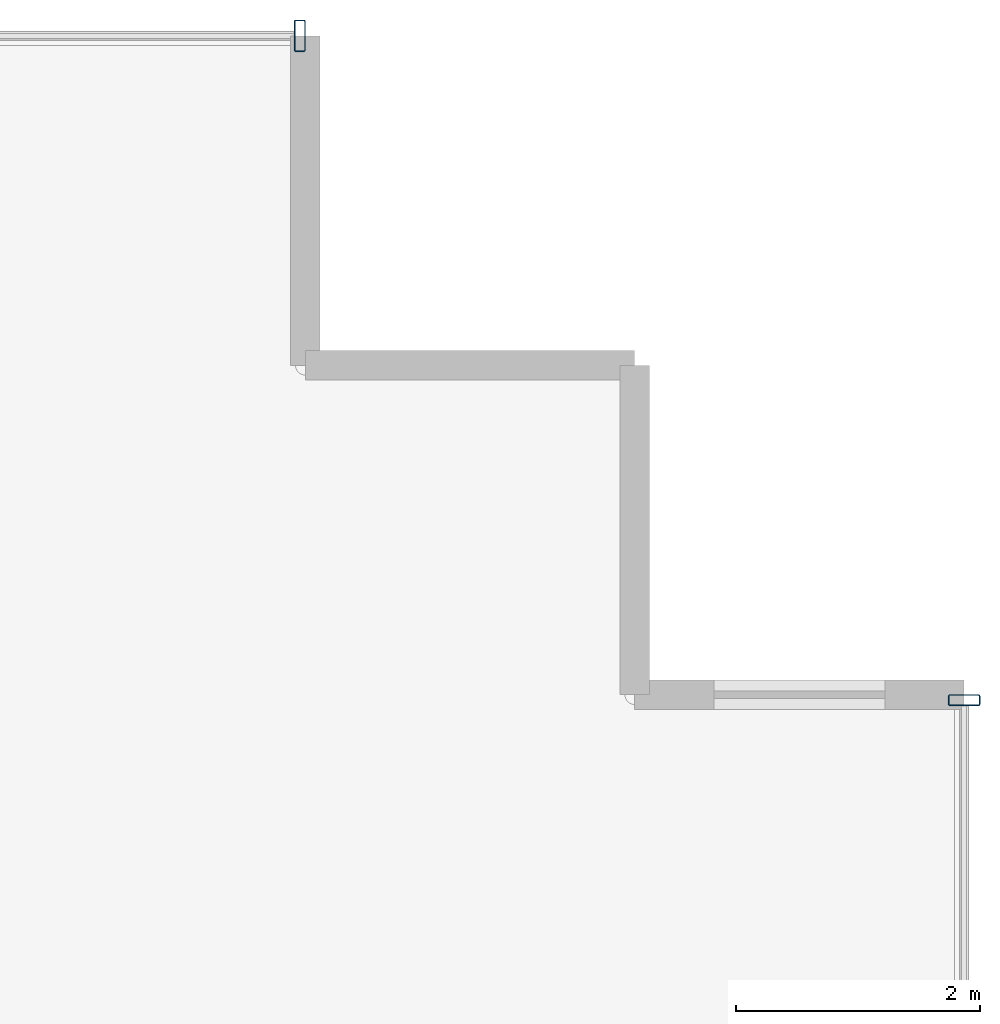
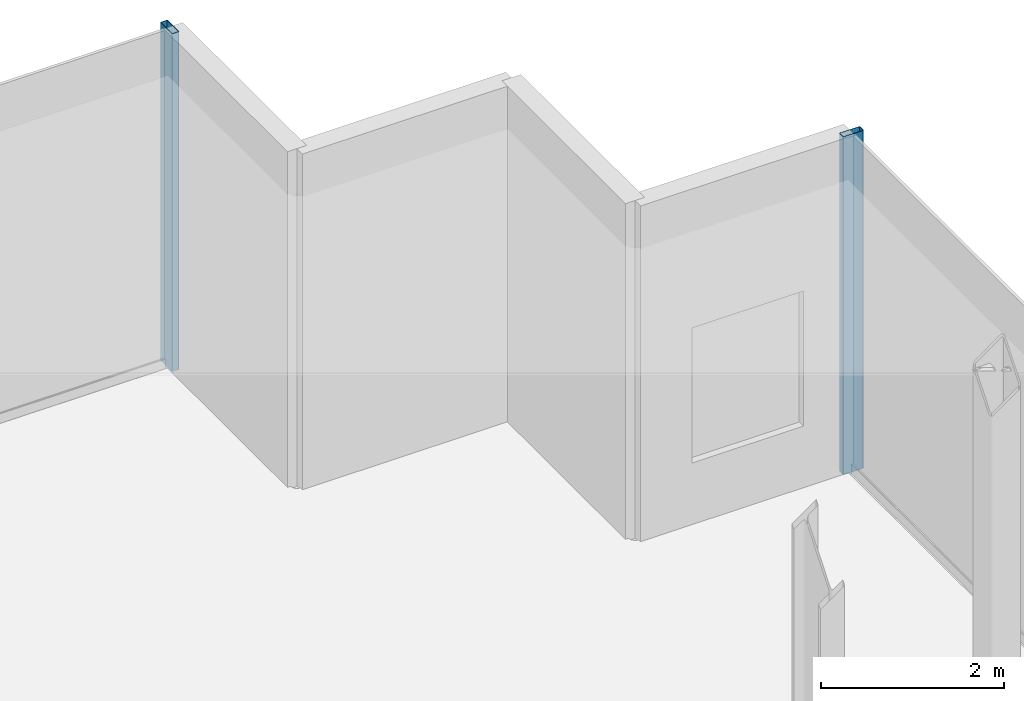
# One storey, part 11 of 17: 2 members, 2 elements without a shape of their own.
"""IFC4 building model written with IfcOpenShell, lengths in metres."""

from ifc_helpers import new_model, si_unit, direction, frame, origin, origin_2d, place, context, subcontext, project, spatial, hollow_rectangle, extrude, source, transform, mapped, material, layer, layer_set, material_profile, profile_set, type_object, element, aggregate, save


model = new_model("IFC4")

# Units and contexts
model_context = context("Model", 3, precision=1e-05, world=origin(), true_north=direction((0.0, 1.0)))
body_context = subcontext(model_context, "Body", "Model", "MODEL_VIEW")
ifc_project = project(units=[si_unit("LENGTHUNIT", "METRE"), si_unit("AREAUNIT", "SQUARE_METRE"), si_unit("VOLUMEUNIT", "CUBIC_METRE"), si_unit("PLANEANGLEUNIT", "RADIAN"), si_unit("MASSUNIT", "GRAM", prefix="KILO")], contexts=[model_context])

# Site, building, storey
site_placement = place(None, origin())
site = spatial("IfcSite", under=ifc_project, at=site_placement, CompositionType="ELEMENT")
building_placement = place(site_placement, origin())
building = spatial("IfcBuilding", under=site, at=building_placement, Name="Nefas-Gora Pilgrimage Tower", CompositionType="ELEMENT")
storey_placement = place(building_placement, frame((0.0, 0.0, 349.0)))
storey = spatial("IfcBuildingStorey", under=building, at=storey_placement, Name="L88", CompositionType="ELEMENT", Elevation=349.0)

# Curtain wall, member
ifc_material_1 = material(Name="Dark ceramic-fritted solar-control aluminium-glass curtain wall", Category="aluminium")
ifc_layer = layer(ifc_material_1, 0.219970703125)
ifc_layer_set = layer_set([ifc_layer], Name="Dark ceramic-fritted solar-control aluminium-glass curtain wall")
curtain_wall_type = type_object("IfcCurtainWallType", Name="CW-SYS-6", PredefinedType="NOTDEFINED", material=ifc_layer_set)
curtain_wall_1_placement = place(storey_placement, origin())
curtain_wall_1 = element("IfcCurtainWall", 1, at=curtain_wall_1_placement, inside=storey, type_object=curtain_wall_type, Name="L88 Unitised Curtain Wall CW6", PredefinedType="NOTDEFINED")
ifc_material_2 = material(Name="Anodised architectural aluminium", Category="aluminium")
ifc_material_profile = material_profile(ifc_material_2, hollow_rectangle(XDim=0.090087890625, YDim=0.260009765625, WallThickness=0.006103515625, InnerFilletRadius=0.006103515625, OuterFilletRadius=0.011962890625, at=origin_2d()), Name="ALU MULLION 90x260")
ifc_profile_set = profile_set([ifc_material_profile], Name="Anodised architectural aluminium")
member_type = type_object("IfcMemberType", Name="CWM-MUL-6", PredefinedType="MULLION", material=ifc_profile_set)
shared_shape = source(origin(), body_context, "Body", "SweptSolid", [
    extrude(hollow_rectangle(XDim=0.090087890625, YDim=0.260009765625, WallThickness=0.006103515625, InnerFilletRadius=0.006103515625, OuterFilletRadius=0.011962890625, at=origin_2d()), origin(), (0.0, 0.0, 1.0), 4.5),
])
member_1_placement = place(storey_placement, frame((13.074951171875, 23.02001953125, 0.0), z_axis=(0.0, 0.0, 1.0), x_axis=(-1.0, 0.0, 0.0)))
member_1 = element("IfcMember", 2, at=member_1_placement, type_object=member_type, Name="CW6 Mullion 1", PredefinedType="MULLION", context=body_context, shape_type="MappedRepresentation", body=[
    mapped(shared_shape, transform((0.0, 0.0, 0.0), x_axis=(1.0, 0.0, 0.0), y_axis=(0.0, 1.0, 0.0), z_axis=(0.0, 0.0, 1.0), scale=1.0)),
])
aggregate(curtain_wall_1, [member_1])

curtain_wall_2_placement = place(storey_placement, origin())
curtain_wall_2 = element("IfcCurtainWall", 3, at=curtain_wall_2_placement, inside=storey, type_object=curtain_wall_type, Name="L88 Unitised Curtain Wall CW6", PredefinedType="NOTDEFINED")
member_2_placement = place(storey_placement, frame((18.52001953125, 17.574951171875, 0.0), z_axis=(0.0, 0.0, 1.0), x_axis=(0.0, 1.0, 0.0)))
member_2 = element("IfcMember", 4, at=member_2_placement, type_object=member_type, Name="CW6 Mullion 3", PredefinedType="MULLION", context=body_context, shape_type="MappedRepresentation", body=[
    mapped(shared_shape, transform((0.0, 0.0, 0.0), x_axis=(1.0, 0.0, 0.0), y_axis=(0.0, 1.0, 0.0), z_axis=(0.0, 0.0, 1.0), scale=1.0)),
])
aggregate(curtain_wall_2, [member_2])

save(model, "model.ifc")
